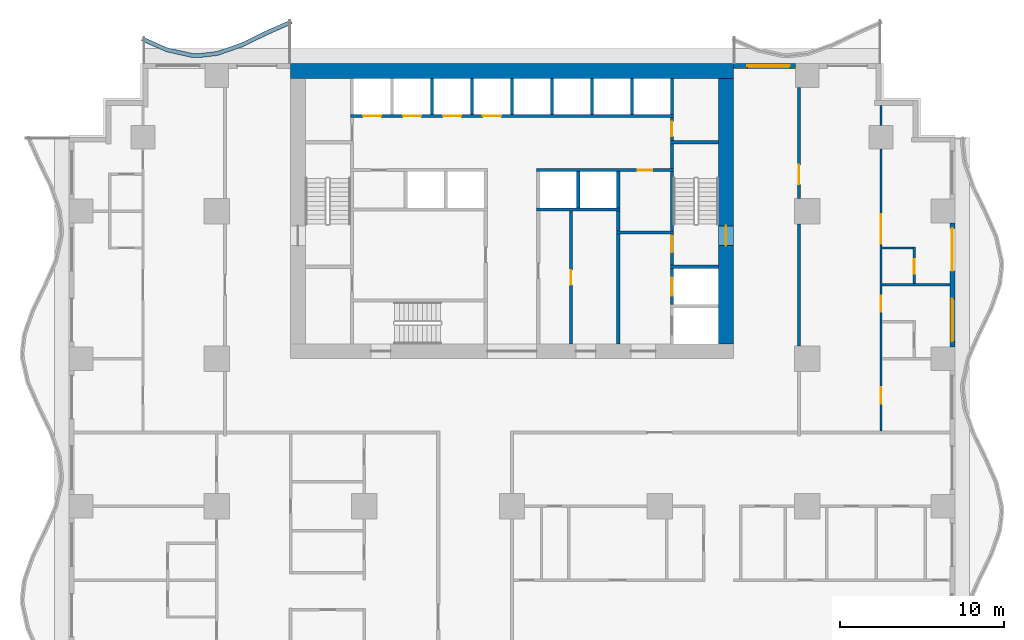
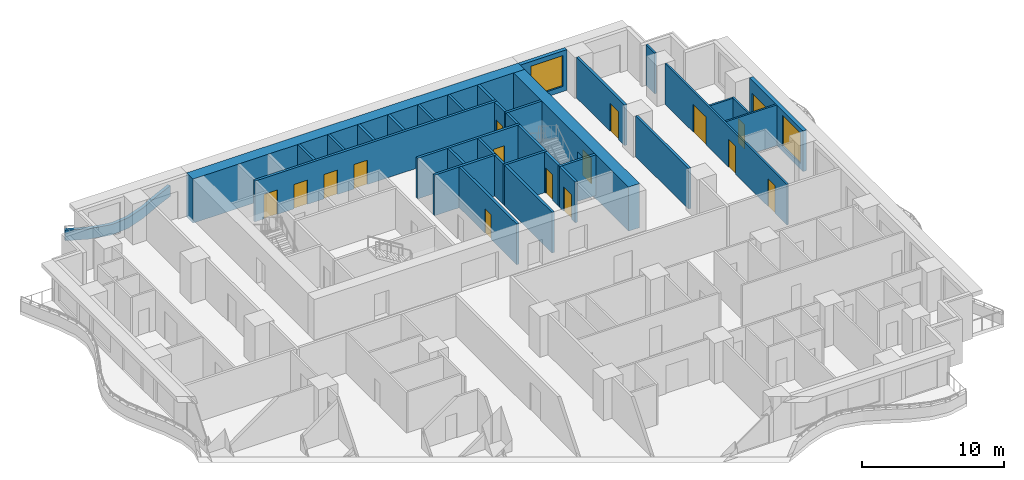
# One storey, part 6 of 14: 35 walls, 16 doors, 2 windows, 18 openings.
"""IFC4 building model written with IfcOpenShell, lengths in metres."""

import ifcopenshell
import ifcopenshell.guid

model = None  # the IFC model being written
_history = None  # IfcOwnerHistory: only IFC2X3 demands one
_inside = {}  # id of a spatial element -> (the spatial element, [elements in it])
_under = {}  # id of a project, library or spatial element -> (it, [spatial elements below it])
_declared = {}  # id of a project -> (the project, [libraries it declares])
_typed = {}  # id of a type object -> (the type object, [elements of that type])
_made_of = {}  # id of a material, layer set ... -> (it, [elements and type objects made of it])


def new_model(schema):
    """Start an empty IFC model of exactly this schema.

    Asked for "IFC4X3", IfcOpenShell would pick the latest addendum, in which some entities
    have other attributes; the version numbers below select the first issue.
    IFC2X3 requires an IfcOwnerHistory on every rooted entity: one is made here for all.
    """
    global model, _history
    if schema == "IFC4X3":
        model = ifcopenshell.file(schema_version=(4, 3, 0, 0))
    else:
        model = ifcopenshell.file(schema=schema)
    _inside.clear()
    _under.clear()
    _declared.clear()
    _typed.clear()
    _made_of.clear()
    _history = None
    if model.schema == "IFC2X3":
        org = make("IfcOrganization", Name="unknown")
        user = make(
            "IfcPersonAndOrganization",
            ThePerson=make("IfcPerson", FamilyName="unknown"),
            TheOrganization=org,
        )
        app = make(
            "IfcApplication",
            ApplicationDeveloper=org,
            Version="unknown",
            ApplicationFullName="unknown",
            ApplicationIdentifier="unknown",
        )
        _history = make(
            "IfcOwnerHistory",
            OwningUser=user,
            OwningApplication=app,
            ChangeAction="ADDED",
            CreationDate=0,
        )
    return model


def make(cls, **values):
    """One entity of the class cls with the attributes given. An attribute that is None is left unset."""
    return model.create_entity(
        cls, **{name: value for name, value in values.items() if value is not None}
    )


def rooted(cls, **values):
    """An entity with a GlobalId (a new one), such as an element, a storey or a relation."""
    return make(cls, GlobalId=ifcopenshell.guid.new(), OwnerHistory=_history, **values)


def si_unit(unit_type, name, prefix=None):
    """IfcSIUnit, for example si_unit("LENGTHUNIT", "METRE", prefix="MILLI")."""
    return make("IfcSIUnit", UnitType=unit_type, Prefix=prefix, Name=name)


def assignment(units):
    """IfcUnitAssignment: the units of a project."""
    return None if units is None else make("IfcUnitAssignment", Units=units)


def point(xyz):
    """IfcCartesianPoint."""
    return None if xyz is None else make("IfcCartesianPoint", Coordinates=xyz)


def direction(xyz):
    """IfcDirection."""
    return None if xyz is None else make("IfcDirection", DirectionRatios=xyz)


def frame(location, z_axis=None, x_axis=None):
    """IfcAxis2Placement3D, a coordinate frame: its origin and axes. An axis left out is left unset."""
    return make(
        "IfcAxis2Placement3D",
        Location=point(location),
        Axis=direction(z_axis),
        RefDirection=direction(x_axis),
    )


def frame_2d(location, x_axis=None):
    """IfcAxis2Placement2D, a coordinate frame in the plane: its origin and x axis."""
    return make(
        "IfcAxis2Placement2D", Location=point(location), RefDirection=direction(x_axis)
    )


def origin():
    """The frame at (0, 0, 0) with its axes left unset."""
    return frame((0.0, 0.0, 0.0))


def place(relative_to, where):
    """IfcLocalPlacement: puts the frame where relative to a parent placement (None: the world)."""
    return make(
        "IfcLocalPlacement", PlacementRelTo=relative_to, RelativePlacement=where
    )


def context(
    kind, dimensions, precision=None, world=None, true_north=None, identifier=None
):
    """IfcGeometricRepresentationContext, for example the 3D "Model" context."""
    return make(
        "IfcGeometricRepresentationContext",
        ContextIdentifier=identifier,
        ContextType=kind,
        CoordinateSpaceDimension=dimensions,
        Precision=precision,
        WorldCoordinateSystem=world,
        TrueNorth=true_north,
    )


def subcontext(parent, identifier, kind, view, scale=None):
    """IfcGeometricRepresentationSubContext, for example "Body" below "Model"."""
    return make(
        "IfcGeometricRepresentationSubContext",
        ContextIdentifier=identifier,
        ContextType=kind,
        ParentContext=parent,
        TargetScale=scale,
        TargetView=view,
    )


def project(units=None, contexts=None):
    """IfcProject with its units and contexts."""
    return rooted(
        "IfcProject",
        Name="project",
        RepresentationContexts=contexts,
        UnitsInContext=assignment(units),
    )


def spatial(cls, under=None, at=None, **own):
    """A site, building, storey or space (cls), placed at a placement, below another one or the project."""
    s = rooted(cls, ObjectPlacement=at, **own)
    if under is not None:
        _under.setdefault(under.id(), (under, []))[1].append(s)
    return s


def polyline(points):
    """IfcPolyline through the points."""
    return make("IfcPolyline", Points=[point(p) for p in points])


def profile(cls, at=None, kind="AREA", **sizes):
    """A parametric profile (cls). Its sizes go by their IFC names, for example OverallWidth=200.0."""
    return make(cls, ProfileType=kind, Position=at, **sizes)


def rectangle(**sizes):
    """IfcRectangleProfileDef."""
    return profile("IfcRectangleProfileDef", **sizes)


def outline(outer, holes=None, kind="AREA"):
    """IfcArbitraryClosedProfileDef: a profile drawn as a closed curve; with holes, ...WithVoids."""
    if holes is None:
        return make("IfcArbitraryClosedProfileDef", ProfileType=kind, OuterCurve=outer)
    return make(
        "IfcArbitraryProfileDefWithVoids",
        ProfileType=kind,
        OuterCurve=outer,
        InnerCurves=holes,
    )


def extrude(swept, where, along, depth):
    """IfcExtrudedAreaSolid: the profile swept, set in the frame where, extruded along a direction by depth."""
    return make(
        "IfcExtrudedAreaSolid",
        SweptArea=swept,
        Position=where,
        ExtrudedDirection=direction(along),
        Depth=depth,
    )


def shape(context_of_items, identifier, shape_type, items):
    """IfcShapeRepresentation: the items that make up one representation, for example the "Body"."""
    return make(
        "IfcShapeRepresentation",
        ContextOfItems=context_of_items,
        RepresentationIdentifier=identifier,
        RepresentationType=shape_type,
        Items=items,
    )


def material(Name=None, Category=None):
    """IfcMaterial."""
    return make("IfcMaterial", Name=Name, Category=Category)


def layer(
    of_material, thickness, ventilated=None, Name=None, Category=None, Priority=None
):
    """IfcMaterialLayer: one layer of a wall or slab, of a material (None: an air gap)."""
    return make(
        "IfcMaterialLayer",
        Material=of_material,
        LayerThickness=thickness,
        IsVentilated=ventilated,
        Name=Name,
        Category=Category,
        Priority=Priority,
    )


def layer_set(layers, Name=None):
    """IfcMaterialLayerSet."""
    return make("IfcMaterialLayerSet", MaterialLayers=layers, LayerSetName=Name)


def made_of(thing, what):
    """Note that an element or type object is made of a material, layer set ...; save() writes the relation."""
    if what is not None:
        _made_of.setdefault(what.id(), (what, []))[1].append(thing)
    return thing


def type_object(cls, material=None, **own):
    """A type object (cls), such as IfcWallType, which elements share."""
    return made_of(rooted(cls, **own), material)


def element(
    cls,
    number,
    at=None,
    inside=None,
    cuts=None,
    type_object=None,
    material=None,
    context=None,
    identifier="Body",
    shape_type=None,
    held_by="IfcProductDefinitionShape",
    body=None,
    shapes=None,
    **own,
):
    """One element of the class cls, such as IfcWall. Its Tag is "e" and its number.

    at: its placement. inside: the storey or other place that contains it. cuts: it is an
    opening in that element (IfcRelVoidsElement). A single representation is given by context,
    identifier, shape_type and body (its items); several are given by shapes. held_by: the class
    of the entity that holds the representations. save() writes the other relations.
    """
    e = rooted(cls, Tag="e%d" % number, ObjectPlacement=at, **own)
    if body is not None:
        shapes = [shape(context, identifier, shape_type, body)]
    if shapes is not None:
        e.Representation = make(held_by, Representations=shapes)
    if inside is not None:
        _inside.setdefault(inside.id(), (inside, []))[1].append(e)
    if cuts is not None:
        rooted(
            "IfcRelVoidsElement", RelatingBuildingElement=cuts, RelatedOpeningElement=e
        )
    if type_object is not None:
        _typed.setdefault(type_object.id(), (type_object, []))[1].append(e)
    return made_of(e, material)


def fill(opening, filler):
    """IfcRelFillsElement: the door or window that sits in an opening."""
    return rooted(
        "IfcRelFillsElement",
        RelatingOpeningElement=opening,
        RelatedBuildingElement=filler,
    )


def aggregate(whole, parts):
    """IfcRelAggregates: a whole, such as a stair, and the parts it consists of."""
    return rooted("IfcRelAggregates", RelatingObject=whole, RelatedObjects=parts)


def save(model, path):
    """Write the relations noted so far, then the file.

    IfcRelAggregates (storeys below a building ...), IfcRelContainedInSpatialStructure (elements
    in a storey), IfcRelDefinesByType, IfcRelAssociatesMaterial and IfcRelDeclares: one each for
    every whole, place, type object, material and project.
    """
    for whole, parts in _under.values():
        aggregate(whole, parts)
    for where, things in _inside.values():
        rooted(
            "IfcRelContainedInSpatialStructure",
            RelatedElements=things,
            RelatingStructure=where,
        )
    for kind, things in _typed.values():
        rooted("IfcRelDefinesByType", RelatedObjects=things, RelatingType=kind)
    for what, things in _made_of.values():
        rooted("IfcRelAssociatesMaterial", RelatedObjects=things, RelatingMaterial=what)
    for by, libraries in _declared.values():
        rooted("IfcRelDeclares", RelatingContext=by, RelatedDefinitions=libraries)
    model.write(path)


model = new_model("IFC4")

# Units and contexts
model_context = context("Model", 3, precision=1e-05, world=origin(), true_north=direction((0.0, 1.0)))
body_context = subcontext(model_context, "Body", "Model", "MODEL_VIEW")
ifc_project = project(units=[si_unit("LENGTHUNIT", "METRE"), si_unit("AREAUNIT", "SQUARE_METRE"), si_unit("VOLUMEUNIT", "CUBIC_METRE"), si_unit("PLANEANGLEUNIT", "RADIAN"), si_unit("MASSUNIT", "GRAM", prefix="KILO")], contexts=[model_context])

# Site, building, storey
site_placement = place(None, origin())
site = spatial("IfcSite", under=ifc_project, at=site_placement, CompositionType="ELEMENT")
building_placement = place(site_placement, origin())
building = spatial("IfcBuilding", under=site, at=building_placement, Name="Orbiselva Terraces", CompositionType="ELEMENT")
storey_placement = place(building_placement, frame((0.0, 0.0, 26.4)))
storey = spatial("IfcBuildingStorey", under=building, at=storey_placement, Name="L06", CompositionType="ELEMENT", Elevation=26.4)

# Wall, opening, door
ifc_material_1 = material(Name="Concrete C80/95", Category="concrete")
ifc_layer_1 = layer(ifc_material_1, 0.9)
ifc_layer_set_1 = layer_set([ifc_layer_1], Name="Concrete C80/95")
wall_type_1 = type_object("IfcWallType", Name="CORE WALL 900", PredefinedType="SHEAR", material=ifc_layer_set_1)
wall_1_placement = place(storey_placement, frame((13.05, 5.4, -0.3), z_axis=(0.0, 0.0, 1.0), x_axis=(0.0, 1.0, 0.0)))
wall_1 = element("IfcWall", 1, at=wall_1_placement, inside=storey, type_object=wall_type_1, Name="Core wall L06 east", PredefinedType="SHEAR", context=body_context, shape_type="SweptSolid", body=[
    extrude(rectangle(XDim=16.2, YDim=0.9, at=frame_2d((8.1, 0.0))), origin(), (0.0, 0.0, 1.0), 3.8),
])
opening_1_placement = place(wall_1_placement, frame((6.0, 0.0, 0.3)))
opening_1 = element("IfcOpeningElement", 2, at=opening_1_placement, cuts=wall_1, Name="Opening DS1200", PredefinedType="OPENING", context=body_context, shape_type="SweptSolid", body=[
    extrude(rectangle(XDim=1.2, YDim=2.2, at=frame_2d((0.6, 1.1))), frame((0.0, 0.46, 0.0), z_axis=(0.0, -1.0, 0.0), x_axis=(1.0, 0.0, 0.0)), (0.0, 0.0, 1.0), 0.92),
])
ifc_material_2 = material(Name="Steel fire door", Category="steel")
door_type_1 = type_object("IfcDoorType", Name="STAIR DOOR 1200", OperationType="NOTDEFINED", PredefinedType="DOOR", material=ifc_material_2)
door_1_placement = place(opening_1_placement, frame((1.2, 0.0, 0.0), z_axis=(0.0, 0.0, 1.0), x_axis=(-1.0, 0.0, 0.0)))
door_1 = element("IfcDoor", 3, at=door_1_placement, inside=storey, type_object=door_type_1, Name="L06 EXIT STAIR S2 door", OperationType="SINGLE_SWING_LEFT", OverallHeight=2.2, OverallWidth=1.2, PredefinedType="DOOR", context=body_context, shape_type="SweptSolid", body=[
    extrude(rectangle(XDim=1.2, YDim=2.2, at=frame_2d((0.6, 1.1))), frame((0.0, 0.025, 0.0), z_axis=(0.0, -1.0, 0.0), x_axis=(1.0, 0.0, 0.0)), (0.0, 0.0, 1.0), 0.05),
])
fill(opening_1, door_1)

# Wall
ifc_layer_2 = layer(ifc_material_1, 0.9)
ifc_layer_set_2 = layer_set([ifc_layer_2], Name="Concrete C80/95")
wall_type_2 = type_object("IfcWallType", Name="CORE WALL 900 EXTERNAL", PredefinedType="SHEAR", material=ifc_layer_set_2)
wall_2_placement = place(storey_placement, frame((13.5, 22.05, -0.3), z_axis=(0.0, 0.0, 1.0), x_axis=(-1.0, 0.0, 0.0)))
element("IfcWall", 4, at=wall_2_placement, inside=storey, type_object=wall_type_2, Name="Core wall L06 north", PredefinedType="SHEAR", context=body_context, shape_type="SweptSolid", body=[
    extrude(rectangle(XDim=27.0, YDim=0.9, at=frame_2d((13.5, 0.0))), origin(), (0.0, 0.0, 1.0), 3.8),
])

# Wall, opening, door
ifc_material_3 = material(Name="Masonry blockwork", Category="masonry")
ifc_layer_3 = layer(ifc_material_3, 0.2)
ifc_layer_set_3 = layer_set([ifc_layer_3], Name="Masonry blockwork")
wall_type_3 = type_object("IfcWallType", Name="CORE-WALL-PARTITION-200", PredefinedType="PARTITIONING", material=ifc_layer_set_3)
wall_3_placement = place(storey_placement, frame((3.6, 13.5, 0.0), z_axis=(0.0, 0.0, 1.0), x_axis=(0.0, -1.0, 0.0)))
wall_3 = element("IfcWall", 5, at=wall_3_placement, inside=storey, type_object=wall_type_3, Name="L06 core wall 28", PredefinedType="PARTITIONING", context=body_context, shape_type="SweptSolid", body=[
    extrude(rectangle(XDim=8.1, YDim=0.2, at=frame_2d((4.05, 0.0))), origin(), (0.0, 0.0, 1.0), 3.5),
])
opening_2_placement = place(wall_3_placement, frame((3.6, 0.0, 0.0)))
opening_2 = element("IfcOpeningElement", 6, at=opening_2_placement, cuts=wall_3, Name="Opening DR900", PredefinedType="OPENING", context=body_context, shape_type="SweptSolid", body=[
    extrude(rectangle(XDim=0.9, YDim=2.1, at=frame_2d((0.45, 1.05))), frame((0.0, 0.11, 0.0), z_axis=(0.0, -1.0, 0.0), x_axis=(1.0, 0.0, 0.0)), (0.0, 0.0, 1.0), 0.22),
])
door_type_2 = type_object("IfcDoorType", Name="ROOM DOOR 900", OperationType="NOTDEFINED", PredefinedType="DOOR", material=ifc_material_2)
door_2_placement = place(opening_2_placement, origin())
door_2 = element("IfcDoor", 7, at=door_2_placement, inside=storey, type_object=door_type_2, Name="L06 SERVICE ROOM door", OperationType="SINGLE_SWING_RIGHT", OverallHeight=2.1, OverallWidth=0.9, PredefinedType="DOOR", context=body_context, shape_type="SweptSolid", body=[
    extrude(rectangle(XDim=0.9, YDim=2.1, at=frame_2d((0.45, 1.05))), frame((0.0, 0.025, 0.0), z_axis=(0.0, -1.0, 0.0), x_axis=(1.0, 0.0, 0.0)), (0.0, 0.0, 1.0), 0.05),
])
fill(opening_2, door_2)

# Wall
wall_4_placement = place(storey_placement, frame((6.475, 12.3, 0.0), z_axis=(0.0, 0.0, 1.0), x_axis=(0.0, 1.0, 0.0)))
element("IfcWall", 8, at=wall_4_placement, inside=storey, type_object=wall_type_3, Name="L06 core wall 33", PredefinedType="PARTITIONING", context=body_context, shape_type="SweptSolid", body=[
    extrude(rectangle(XDim=1.2, YDim=0.2, at=frame_2d((0.6, 0.0))), origin(), (0.0, 0.0, 1.0), 3.5),
])

# Wall, opening, door
wall_5_placement = place(storey_placement, frame((9.75, 19.2, 0.0), z_axis=(0.0, 0.0, 1.0), x_axis=(0.0, -1.0, 0.0)))
wall_5 = element("IfcWall", 9, at=wall_5_placement, inside=storey, type_object=wall_type_3, Name="L06 core wall 44", PredefinedType="PARTITIONING", context=body_context, shape_type="SweptSolid", body=[
    extrude(rectangle(XDim=1.4, YDim=0.2, at=frame_2d((0.7, 0.0))), origin(), (0.0, 0.0, 1.0), 3.5),
])
opening_3_placement = place(wall_5_placement, frame((0.25, 0.0, 0.0)))
opening_3 = element("IfcOpeningElement", 10, at=opening_3_placement, cuts=wall_5, Name="Opening DR900", PredefinedType="OPENING", context=body_context, shape_type="SweptSolid", body=[
    extrude(rectangle(XDim=0.9, YDim=2.1, at=frame_2d((0.45, 1.05))), frame((0.0, 0.11, 0.0), z_axis=(0.0, -1.0, 0.0), x_axis=(1.0, 0.0, 0.0)), (0.0, 0.0, 1.0), 0.22),
])
door_3_placement = place(opening_3_placement, origin())
door_3 = element("IfcDoor", 11, at=door_3_placement, inside=storey, type_object=door_type_2, Name="L06 ELECTRICAL RISER ROOM door", OperationType="SINGLE_SWING_RIGHT", OverallHeight=2.1, OverallWidth=0.9, PredefinedType="DOOR", context=body_context, shape_type="SweptSolid", body=[
    extrude(rectangle(XDim=0.9, YDim=2.1, at=frame_2d((0.45, 1.05))), frame((0.0, 0.025, 0.0), z_axis=(0.0, -1.0, 0.0), x_axis=(1.0, 0.0, 0.0)), (0.0, 0.0, 1.0), 0.05),
])
fill(opening_3, door_3)

# Walls
ifc_material_4 = material(Name="Concrete C40/50", Category="concrete")
ifc_layer_4 = layer(ifc_material_4, 0.2)
ifc_layer_set_4 = layer_set([ifc_layer_4], Name="Concrete C40/50")
wall_type_4 = type_object("IfcWallType", Name="CORE-WALL-SHAFT-200", PredefinedType="PARTITIONING", material=ifc_layer_set_4)
for number, where, z_axis, x_axis, name in (
    (12, (-4.875, 19.4, 0.0), (0.0, 0.0, 1.0), (0.0, 1.0, 0.0), "L06 core wall 16"),
    (13, (-2.4375, 19.4, 0.0), (0.0, 0.0, 1.0), (0.0, 1.0, 0.0), "L06 core wall 18"),
    (14, (0.0, 19.4, 0.0), (0.0, 0.0, 1.0), (0.0, 1.0, 0.0), "L06 core wall 22"),
    (15, (2.4375, 19.4, 0.0), (0.0, 0.0, 1.0), (0.0, 1.0, 0.0), "L06 core wall 27"),
    (16, (4.0375, 13.7, 0.0), (0.0, 0.0, 1.0), (0.0, 1.0, 0.0), "L06 core wall 29"),
    (17, (4.875, 19.4, 0.0), (0.0, 0.0, 1.0), (0.0, 1.0, 0.0), "L06 core wall 30"),
    (18, (6.475, 13.7, 0.0), (0.0, 0.0, 1.0), (0.0, 1.0, 0.0), "L06 core wall 34"),
    (19, (7.3125, 19.4, 0.0), (0.0, 0.0, 1.0), (0.0, 1.0, 0.0), "L06 core wall 35"),
    (20, (9.75, 19.4, 0.0), (0.0, 0.0, 1.0), (0.0, 1.0, 0.0), "L06 core wall 45"),
):
    element("IfcWall", number, at=place(storey_placement, frame(where, z_axis=z_axis, x_axis=x_axis)), inside=storey, type_object=wall_type_4, Name=name, PredefinedType="PARTITIONING", context=body_context, shape_type="SweptSolid", body=[
        extrude(rectangle(XDim=2.2, YDim=0.2, at=frame_2d((1.1, 0.0))), origin(), (0.0, 0.0, 1.0), 3.5),
    ])

# Wall, openings, doors
ifc_material_5 = material(Name="Concrete C60/75", Category="concrete")
ifc_layer_5 = layer(ifc_material_5, 0.2)
ifc_layer_set_5 = layer_set([ifc_layer_5], Name="Concrete C60/75")
wall_type_5 = type_object("IfcWallType", Name="CORE-WALL-SHEAR-200", PredefinedType="SHEAR", material=ifc_layer_set_5)
wall_6_placement = place(storey_placement, frame((-9.85, 19.3, 0.0), z_axis=(0.0, 0.0, 1.0), x_axis=(1.0, 0.0, 0.0)))
wall_6 = element("IfcWall", 21, at=wall_6_placement, inside=storey, type_object=wall_type_5, Name="L06 core wall 12", PredefinedType="SHEAR", context=body_context, shape_type="SweptSolid", body=[
    extrude(rectangle(XDim=19.7, YDim=0.2, at=frame_2d((9.85, 0.0))), origin(), (0.0, 0.0, 1.0), 3.5),
])
opening_4_placement = place(wall_6_placement, frame((0.76875, 0.0, 0.0)))
opening_4 = element("IfcOpeningElement", 22, at=opening_4_placement, cuts=wall_6, Name="Opening LD-LR1", PredefinedType="OPENING", context=body_context, shape_type="SweptSolid", body=[
    extrude(rectangle(XDim=1.1, YDim=2.1, at=frame_2d((0.55, 1.05))), frame((0.0, 0.11, 0.0), z_axis=(0.0, -1.0, 0.0), x_axis=(1.0, 0.0, 0.0)), (0.0, 0.0, 1.0), 0.22),
])
opening_5_placement = place(wall_6_placement, frame((3.20625, 0.0, 0.0)))
opening_5 = element("IfcOpeningElement", 23, at=opening_5_placement, cuts=wall_6, Name="Opening LD-LR2", PredefinedType="OPENING", context=body_context, shape_type="SweptSolid", body=[
    extrude(rectangle(XDim=1.1, YDim=2.1, at=frame_2d((0.55, 1.05))), frame((0.0, 0.11, 0.0), z_axis=(0.0, -1.0, 0.0), x_axis=(1.0, 0.0, 0.0)), (0.0, 0.0, 1.0), 0.22),
])
opening_6_placement = place(wall_6_placement, frame((5.64375, 0.0, 0.0)))
opening_6 = element("IfcOpeningElement", 24, at=opening_6_placement, cuts=wall_6, Name="Opening LD-LR3", PredefinedType="OPENING", context=body_context, shape_type="SweptSolid", body=[
    extrude(rectangle(XDim=1.1, YDim=2.1, at=frame_2d((0.55, 1.05))), frame((0.0, 0.11, 0.0), z_axis=(0.0, -1.0, 0.0), x_axis=(1.0, 0.0, 0.0)), (0.0, 0.0, 1.0), 0.22),
])
opening_7_placement = place(wall_6_placement, frame((8.08125, 0.0, 0.0)))
opening_7 = element("IfcOpeningElement", 25, at=opening_7_placement, cuts=wall_6, Name="Opening LD-LR4", PredefinedType="OPENING", context=body_context, shape_type="SweptSolid", body=[
    extrude(rectangle(XDim=1.1, YDim=2.1, at=frame_2d((0.55, 1.05))), frame((0.0, 0.11, 0.0), z_axis=(0.0, -1.0, 0.0), x_axis=(1.0, 0.0, 0.0)), (0.0, 0.0, 1.0), 0.22),
])
ifc_material_6 = material(Name="Stainless steel landing door", Category="steel")
door_type_3 = type_object("IfcDoorType", Name="LANDING DOOR 1100", OperationType="SLIDING_TO_LEFT", PredefinedType="DOOR", material=ifc_material_6)
door_4_placement = place(opening_4_placement, origin())
door_4 = element("IfcDoor", 26, at=door_4_placement, inside=storey, type_object=door_type_3, Name="L06 landing door LR1", OperationType="SLIDING_TO_LEFT", OverallHeight=2.1, OverallWidth=1.1, PredefinedType="DOOR", context=body_context, shape_type="SweptSolid", body=[
    extrude(rectangle(XDim=1.1, YDim=2.1, at=frame_2d((0.55, 1.05))), frame((0.0, 0.025, 0.0), z_axis=(0.0, -1.0, 0.0), x_axis=(1.0, 0.0, 0.0)), (0.0, 0.0, 1.0), 0.05),
])
fill(opening_4, door_4)
door_5_placement = place(opening_5_placement, origin())
door_5 = element("IfcDoor", 27, at=door_5_placement, inside=storey, type_object=door_type_3, Name="L06 landing door LR2", OperationType="SLIDING_TO_LEFT", OverallHeight=2.1, OverallWidth=1.1, PredefinedType="DOOR", context=body_context, shape_type="SweptSolid", body=[
    extrude(rectangle(XDim=1.1, YDim=2.1, at=frame_2d((0.55, 1.05))), frame((0.0, 0.025, 0.0), z_axis=(0.0, -1.0, 0.0), x_axis=(1.0, 0.0, 0.0)), (0.0, 0.0, 1.0), 0.05),
])
fill(opening_5, door_5)
door_6_placement = place(opening_6_placement, origin())
door_6 = element("IfcDoor", 28, at=door_6_placement, inside=storey, type_object=door_type_3, Name="L06 landing door LR3", OperationType="SLIDING_TO_LEFT", OverallHeight=2.1, OverallWidth=1.1, PredefinedType="DOOR", context=body_context, shape_type="SweptSolid", body=[
    extrude(rectangle(XDim=1.1, YDim=2.1, at=frame_2d((0.55, 1.05))), frame((0.0, 0.025, 0.0), z_axis=(0.0, -1.0, 0.0), x_axis=(1.0, 0.0, 0.0)), (0.0, 0.0, 1.0), 0.05),
])
fill(opening_6, door_6)
door_7_placement = place(opening_7_placement, origin())
door_7 = element("IfcDoor", 29, at=door_7_placement, inside=storey, type_object=door_type_3, Name="L06 landing door LR4", OperationType="SLIDING_TO_LEFT", OverallHeight=2.1, OverallWidth=1.1, PredefinedType="DOOR", context=body_context, shape_type="SweptSolid", body=[
    extrude(rectangle(XDim=1.1, YDim=2.1, at=frame_2d((0.55, 1.05))), frame((0.0, 0.025, 0.0), z_axis=(0.0, -1.0, 0.0), x_axis=(1.0, 0.0, 0.0)), (0.0, 0.0, 1.0), 0.05),
])
fill(opening_7, door_7)

# Wall
wall_7_placement = place(storey_placement, frame((1.5, 13.6, 0.0), z_axis=(0.0, 0.0, 1.0), x_axis=(1.0, 0.0, 0.0)))
element("IfcWall", 30, at=wall_7_placement, inside=storey, type_object=wall_type_5, Name="L06 core wall 24", PredefinedType="SHEAR", context=body_context, shape_type="SweptSolid", body=[
    extrude(rectangle(XDim=5.075, YDim=0.2, at=frame_2d((2.5375, 0.0))), origin(), (0.0, 0.0, 1.0), 3.5),
])

# Wall, opening, door
wall_8_placement = place(storey_placement, frame((9.85, 16.0, 0.0), z_axis=(0.0, 0.0, 1.0), x_axis=(-1.0, 0.0, 0.0)))
wall_8 = element("IfcWall", 31, at=wall_8_placement, inside=storey, type_object=wall_type_5, Name="L06 core wall 26", PredefinedType="SHEAR", context=body_context, shape_type="SweptSolid", body=[
    extrude(rectangle(XDim=8.35, YDim=0.2, at=frame_2d((4.175, 0.0))), origin(), (0.0, 0.0, 1.0), 3.5),
])
opening_8_placement = place(wall_8_placement, frame((1.2875, 0.0, 0.0)))
opening_8 = element("IfcOpeningElement", 32, at=opening_8_placement, cuts=wall_8, Name="Opening DR900", PredefinedType="OPENING", context=body_context, shape_type="SweptSolid", body=[
    extrude(rectangle(XDim=0.9, YDim=2.1, at=frame_2d((0.45, 1.05))), frame((0.0, 0.11, 0.0), z_axis=(0.0, -1.0, 0.0), x_axis=(1.0, 0.0, 0.0)), (0.0, 0.0, 1.0), 0.22),
])
door_8_placement = place(opening_8_placement, origin())
door_8 = element("IfcDoor", 33, at=door_8_placement, inside=storey, type_object=door_type_2, Name="L06 PIPE RISER ROOM door", OperationType="SINGLE_SWING_LEFT", OverallHeight=2.1, OverallWidth=0.9, PredefinedType="DOOR", context=body_context, shape_type="SweptSolid", body=[
    extrude(rectangle(XDim=0.9, YDim=2.1, at=frame_2d((0.45, 1.05))), frame((0.0, 0.025, 0.0), z_axis=(0.0, -1.0, 0.0), x_axis=(1.0, 0.0, 0.0)), (0.0, 0.0, 1.0), 0.05),
])
fill(opening_8, door_8)

# Walls
wall_9_placement = place(storey_placement, frame((6.475, 5.4, 0.0), z_axis=(0.0, 0.0, 1.0), x_axis=(0.0, 1.0, 0.0)))
element("IfcWall", 34, at=wall_9_placement, inside=storey, type_object=wall_type_5, Name="L06 core wall 31", PredefinedType="SHEAR", context=body_context, shape_type="SweptSolid", body=[
    extrude(rectangle(XDim=6.7, YDim=0.2, at=frame_2d((3.35, 0.0))), origin(), (0.0, 0.0, 1.0), 3.5),
])
wall_10_placement = place(storey_placement, frame((6.375, 12.2, 0.0), z_axis=(0.0, 0.0, 1.0), x_axis=(1.0, 0.0, 0.0)))
element("IfcWall", 35, at=wall_10_placement, inside=storey, type_object=wall_type_5, Name="L06 core wall 32", PredefinedType="SHEAR", context=body_context, shape_type="SweptSolid", body=[
    extrude(rectangle(XDim=3.475, YDim=0.2, at=frame_2d((1.7375, 0.0))), origin(), (0.0, 0.0, 1.0), 3.5),
])

# Wall, opening, door
wall_11_placement = place(storey_placement, frame((9.75, 7.8, 0.0), z_axis=(0.0, 0.0, 1.0), x_axis=(0.0, 1.0, 0.0)))
wall_11 = element("IfcWall", 36, at=wall_11_placement, inside=storey, type_object=wall_type_5, Name="L06 core wall 38", PredefinedType="SHEAR", context=body_context, shape_type="SweptSolid", body=[
    extrude(rectangle(XDim=2.2, YDim=0.2, at=frame_2d((1.1, 0.0))), origin(), (0.0, 0.0, 1.0), 3.5),
])
opening_9_placement = place(wall_11_placement, frame((0.55, 0.0, 0.0)))
opening_9 = element("IfcOpeningElement", 37, at=opening_9_placement, cuts=wall_11, Name="Opening LD-FF2", PredefinedType="OPENING", context=body_context, shape_type="SweptSolid", body=[
    extrude(rectangle(XDim=1.1, YDim=2.1, at=frame_2d((0.55, 1.05))), frame((0.0, 0.11, 0.0), z_axis=(0.0, -1.0, 0.0), x_axis=(1.0, 0.0, 0.0)), (0.0, 0.0, 1.0), 0.22),
])
door_9_placement = place(opening_9_placement, origin())
door_9 = element("IfcDoor", 38, at=door_9_placement, inside=storey, type_object=door_type_3, Name="L06 landing door FF2", OperationType="SLIDING_TO_RIGHT", OverallHeight=2.1, OverallWidth=1.1, PredefinedType="DOOR", context=body_context, shape_type="SweptSolid", body=[
    extrude(rectangle(XDim=1.1, YDim=2.1, at=frame_2d((0.55, 1.05))), frame((0.0, 0.025, 0.0), z_axis=(0.0, -1.0, 0.0), x_axis=(1.0, 0.0, 0.0)), (0.0, 0.0, 1.0), 0.05),
])
fill(opening_9, door_9)

# Wall
wall_12_placement = place(storey_placement, frame((9.65, 10.1, 0.0), z_axis=(0.0, 0.0, 1.0), x_axis=(1.0, 0.0, 0.0)))
element("IfcWall", 39, at=wall_12_placement, inside=storey, type_object=wall_type_5, Name="L06 core wall 39", PredefinedType="SHEAR", context=body_context, shape_type="SweptSolid", body=[
    extrude(rectangle(XDim=2.95, YDim=0.2, at=frame_2d((1.475, 0.0))), origin(), (0.0, 0.0, 1.0), 3.5),
])

# Wall, opening, door
wall_13_placement = place(storey_placement, frame((9.75, 12.1, 0.0), z_axis=(0.0, 0.0, 1.0), x_axis=(0.0, -1.0, 0.0)))
wall_13 = element("IfcWall", 40, at=wall_13_placement, inside=storey, type_object=wall_type_5, Name="L06 core wall 40", PredefinedType="SHEAR", context=body_context, shape_type="SweptSolid", body=[
    extrude(rectangle(XDim=1.9, YDim=0.2, at=frame_2d((0.95, 0.0))), origin(), (0.0, 0.0, 1.0), 3.5),
])
opening_10_placement = place(wall_13_placement, frame((0.1, 0.0, 0.0)))
opening_10 = element("IfcOpeningElement", 41, at=opening_10_placement, cuts=wall_13, Name="Opening DS1000", PredefinedType="OPENING", context=body_context, shape_type="SweptSolid", body=[
    extrude(rectangle(XDim=1.0, YDim=2.2, at=frame_2d((0.5, 1.1))), frame((0.0, 0.11, 0.0), z_axis=(0.0, -1.0, 0.0), x_axis=(1.0, 0.0, 0.0)), (0.0, 0.0, 1.0), 0.22),
])
door_type_4 = type_object("IfcDoorType", Name="STAIR DOOR 1000", OperationType="NOTDEFINED", PredefinedType="DOOR", material=ifc_material_2)
door_10_placement = place(opening_10_placement, origin())
door_10 = element("IfcDoor", 42, at=door_10_placement, inside=storey, type_object=door_type_4, Name="L06 FIRE-FIGHTING LOBBY TO EXIT STAIR S2 door", OperationType="SINGLE_SWING_LEFT", OverallHeight=2.2, OverallWidth=1.0, PredefinedType="DOOR", context=body_context, shape_type="SweptSolid", body=[
    extrude(rectangle(XDim=1.0, YDim=2.2, at=frame_2d((0.5, 1.1))), frame((0.0, 0.025, 0.0), z_axis=(0.0, -1.0, 0.0), x_axis=(1.0, 0.0, 0.0)), (0.0, 0.0, 1.0), 0.05),
])
fill(opening_10, door_10)

# Walls
wall_14_placement = place(storey_placement, frame((9.75, 12.3, 0.0), z_axis=(0.0, 0.0, 1.0), x_axis=(0.0, 1.0, 0.0)))
element("IfcWall", 43, at=wall_14_placement, inside=storey, type_object=wall_type_5, Name="L06 core wall 41", PredefinedType="SHEAR", context=body_context, shape_type="SweptSolid", body=[
    extrude(rectangle(XDim=3.6, YDim=0.2, at=frame_2d((1.8, 0.0))), origin(), (0.0, 0.0, 1.0), 3.5),
])
wall_15_placement = place(storey_placement, frame((9.75, 16.1, 0.0), z_axis=(0.0, 0.0, 1.0), x_axis=(0.0, 1.0, 0.0)))
element("IfcWall", 44, at=wall_15_placement, inside=storey, type_object=wall_type_5, Name="L06 core wall 42", PredefinedType="SHEAR", context=body_context, shape_type="SweptSolid", body=[
    extrude(rectangle(XDim=1.5, YDim=0.2, at=frame_2d((0.75, 0.0))), origin(), (0.0, 0.0, 1.0), 3.5),
])
wall_16_placement = place(storey_placement, frame((9.65, 17.7, 0.0), z_axis=(0.0, 0.0, 1.0), x_axis=(1.0, 0.0, 0.0)))
element("IfcWall", 45, at=wall_16_placement, inside=storey, type_object=wall_type_5, Name="L06 core wall 43", PredefinedType="SHEAR", context=body_context, shape_type="SweptSolid", body=[
    extrude(rectangle(XDim=2.95, YDim=0.2, at=frame_2d((1.475, 0.0))), origin(), (0.0, 0.0, 1.0), 3.5),
])
ifc_layer_6 = layer(ifc_material_4, 0.25)
ifc_layer_set_6 = layer_set([ifc_layer_6], Name="Concrete C40/50")
wall_type_6 = type_object("IfcWallType", Name="ENV-PLANTER-250x900", PredefinedType="USERDEFINED", material=ifc_layer_set_6)
wall_17_placement = place(storey_placement, origin())
element("IfcWall", 46, at=wall_17_placement, inside=storey, type_object=wall_type_6, Name="Balcony planter L06 NW", ObjectType="PLANTER", PredefinedType="USERDEFINED", context=body_context, shape_type="SweptSolid", body=[
    extrude(outline(polyline([(-13.5, 25.148528), (-15.0, 24.487721), (-16.5, 23.755211), (-18.0, 23.230792), (-19.125, 23.1), (-19.5, 23.114774), (-21.0, 23.451472), (-22.5, 24.112279), (-22.600788, 23.883496), (-21.078508, 23.212874), (-19.532565, 22.865863), (-19.115428, 22.849429), (-17.943629, 22.985662), (-16.40356, 23.524089), (-14.894714, 24.260919), (-13.399212, 24.919745), (-13.5, 25.148528)])), origin(), (0.0, 0.0, 1.0), 0.9),
])

# Wall, openings, door, window
ifc_material_7 = material(Name="Terracotta cladding on masonry backing", Category="masonry")
ifc_layer_7 = layer(ifc_material_7, 0.3)
ifc_layer_set_7 = layer_set([ifc_layer_7], Name="Terracotta cladding on masonry backing")
wall_type_7 = type_object("IfcWallType", Name="ENV-WALL-TERRACOTTA-300", PredefinedType="SOLIDWALL", material=ifc_layer_set_7)
wall_18_placement = place(storey_placement, frame((26.85, 12.775, 0.0), z_axis=(0.0, 0.0, 1.0), x_axis=(0.0, -1.0, 0.0)))
wall_18 = element("IfcWall", 47, at=wall_18_placement, inside=storey, type_object=wall_type_7, Name="Facade wall L06 E", PredefinedType="SOLIDWALL", context=body_context, shape_type="SweptSolid", body=[
    extrude(rectangle(XDim=7.55, YDim=0.3, at=frame_2d((3.775, 0.0))), origin(), (0.0, 0.0, 1.0), 3.5),
])
opening_11_placement = place(wall_18_placement, frame((4.625, 0.0, 0.45)))
opening_11 = element("IfcOpeningElement", 48, at=opening_11_placement, cuts=wall_18, Name="Opening WN1", PredefinedType="OPENING", context=body_context, shape_type="SweptSolid", body=[
    extrude(rectangle(XDim=2.6, YDim=2.65, at=frame_2d((1.3, 1.325))), frame((0.0, 0.16, 0.0), z_axis=(0.0, -1.0, 0.0), x_axis=(1.0, 0.0, 0.0)), (0.0, 0.0, 1.0), 0.32),
])
opening_12_placement = place(wall_18_placement, frame((0.325, 0.0, 0.0)))
opening_12 = element("IfcOpeningElement", 49, at=opening_12_placement, cuts=wall_18, Name="Opening Z1-B-E07", PredefinedType="OPENING", context=body_context, shape_type="SweptSolid", body=[
    extrude(rectangle(XDim=2.6, YDim=2.4, at=frame_2d((1.3, 1.2))), frame((0.0, 0.16, 0.0), z_axis=(0.0, -1.0, 0.0), x_axis=(1.0, 0.0, 0.0)), (0.0, 0.0, 1.0), 0.32),
])
ifc_material_8 = material(Name="Clear low-e glazing in aluminium frame", Category="aluminium")
door_type_5 = type_object("IfcDoorType", Name="BALCONY DOOR 2600 X 2400", OperationType="DOUBLE_DOOR_SLIDING", PredefinedType="DOOR", material=ifc_material_8)
door_11_placement = place(opening_12_placement, origin())
door_11 = element("IfcDoor", 50, at=door_11_placement, inside=storey, type_object=door_type_5, Name="Z1-B-E07", OperationType="SINGLE_SWING_LEFT", OverallHeight=2.4, OverallWidth=2.6, PredefinedType="DOOR", context=body_context, shape_type="SweptSolid", body=[
    extrude(rectangle(XDim=2.6, YDim=2.4, at=frame_2d((1.3, 1.2))), frame((0.0, 0.025, 0.0), z_axis=(0.0, -1.0, 0.0), x_axis=(1.0, 0.0, 0.0)), (0.0, 0.0, 1.0), 0.05),
])
fill(opening_12, door_11)
window_type = type_object("IfcWindowType", Name="WINDOW 2600 X 2650 S450", PartitioningType="TRIPLE_PANEL_VERTICAL", PredefinedType="WINDOW", material=ifc_material_8)
window_1_placement = place(opening_11_placement, origin())
window_1 = element("IfcWindow", 51, at=window_1_placement, inside=storey, type_object=window_type, Name="Window L06 E", OverallHeight=2.65, OverallWidth=2.6, PartitioningType="SINGLE_PANEL", PredefinedType="WINDOW", context=body_context, shape_type="SweptSolid", body=[
    extrude(rectangle(XDim=2.6, YDim=2.65, at=frame_2d((1.3, 1.325))), frame((0.0, 0.03, 0.0), z_axis=(0.0, -1.0, 0.0), x_axis=(1.0, 0.0, 0.0)), (0.0, 0.0, 1.0), 0.06),
])
fill(opening_11, window_1)

# Wall, opening, window
wall_19_placement = place(storey_placement, frame((13.5, 22.35, 0.0), z_axis=(0.0, 0.0, 1.0), x_axis=(1.0, 0.0, 0.0)))
wall_19 = element("IfcWall", 52, at=wall_19_placement, inside=storey, type_object=wall_type_7, Name="Facade wall L06 NE", PredefinedType="SOLIDWALL", context=body_context, shape_type="SweptSolid", body=[
    extrude(rectangle(XDim=3.775, YDim=0.3, at=frame_2d((1.8875, 0.0))), origin(), (0.0, 0.0, 1.0), 3.5),
])
opening_13_placement = place(wall_19_placement, frame((0.85, 0.0, 0.45)))
opening_13 = element("IfcOpeningElement", 53, at=opening_13_placement, cuts=wall_19, Name="Opening WN1", PredefinedType="OPENING", context=body_context, shape_type="SweptSolid", body=[
    extrude(rectangle(XDim=2.6, YDim=2.65, at=frame_2d((1.3, 1.325))), frame((0.0, 0.16, 0.0), z_axis=(0.0, -1.0, 0.0), x_axis=(1.0, 0.0, 0.0)), (0.0, 0.0, 1.0), 0.32),
])
window_2_placement = place(opening_13_placement, origin())
window_2 = element("IfcWindow", 54, at=window_2_placement, inside=storey, type_object=window_type, Name="Window L06 NE", OverallHeight=2.65, OverallWidth=2.6, PartitioningType="SINGLE_PANEL", PredefinedType="WINDOW", context=body_context, shape_type="SweptSolid", body=[
    extrude(rectangle(XDim=2.6, YDim=2.65, at=frame_2d((1.3, 1.325))), frame((0.0, 0.03, 0.0), z_axis=(0.0, -1.0, 0.0), x_axis=(1.0, 0.0, 0.0)), (0.0, 0.0, 1.0), 0.06),
])
fill(opening_13, window_2)

# Wall
ifc_material_9 = material(Name="Plasterboard on steel stud partition", Category="steel")
ifc_layer_8 = layer(ifc_material_9, 0.2)
ifc_layer_set_8 = layer_set([ifc_layer_8], Name="Plasterboard on steel stud partition")
wall_type_8 = type_object("IfcWallType", Name="UNIT-ENTRANCE-WALL-200", PredefinedType="PARTITIONING", material=ifc_layer_set_8)
wall_20_placement = place(storey_placement, frame((17.5, 5.275, 0.0), z_axis=(0.0, 0.0, 1.0), x_axis=(0.0, 1.0, 0.0)))
element("IfcWall", 55, at=wall_20_placement, inside=storey, type_object=wall_type_8, Name="PARTITION L06-074", PredefinedType="PARTITIONING", context=body_context, shape_type="SweptSolid", body=[
    extrude(rectangle(XDim=7.45, YDim=0.2, at=frame_2d((3.725, 0.0))), origin(), (0.0, 0.0, 1.0), 3.5),
])

# Wall, opening, door
wall_21_placement = place(storey_placement, frame((17.5, 21.05, 0.0), z_axis=(0.0, 0.0, 1.0), x_axis=(0.0, -1.0, 0.0)))
wall_21 = element("IfcWall", 56, at=wall_21_placement, inside=storey, type_object=wall_type_8, Name="PARTITION L06-075", PredefinedType="PARTITIONING", context=body_context, shape_type="SweptSolid", body=[
    extrude(rectangle(XDim=6.775, YDim=0.2, at=frame_2d((3.3875, 0.0))), origin(), (0.0, 0.0, 1.0), 3.5),
])
opening_14_placement = place(wall_21_placement, frame((4.725, 0.0, 0.0)))
opening_14 = element("IfcOpeningElement", 57, at=opening_14_placement, cuts=wall_21, Name="Opening Z1-B-07", PredefinedType="OPENING", context=body_context, shape_type="SweptSolid", body=[
    extrude(rectangle(XDim=1.2, YDim=2.4, at=frame_2d((0.6, 1.2))), frame((0.0, 0.11, 0.0), z_axis=(0.0, -1.0, 0.0), x_axis=(1.0, 0.0, 0.0)), (0.0, 0.0, 1.0), 0.22),
])
ifc_material_10 = material(Name="Painted timber door leaf", Category="wood")
door_type_6 = type_object("IfcDoorType", Name="ENTRANCE DOOR 1200", OperationType="NOTDEFINED", PredefinedType="DOOR", material=ifc_material_10)
door_12_placement = place(opening_14_placement, origin())
door_12 = element("IfcDoor", 58, at=door_12_placement, inside=storey, type_object=door_type_6, Name="Z1-B-07", OperationType="SINGLE_SWING_RIGHT", OverallHeight=2.4, OverallWidth=1.2, PredefinedType="DOOR", context=body_context, shape_type="SweptSolid", body=[
    extrude(rectangle(XDim=1.2, YDim=2.4, at=frame_2d((0.6, 1.2))), frame((0.0, 0.025, 0.0), z_axis=(0.0, -1.0, 0.0), x_axis=(1.0, 0.0, 0.0)), (0.0, 0.0, 1.0), 0.05),
])
fill(opening_14, door_12)

# Walls
ifc_layer_9 = layer(ifc_material_9, 0.15)
ifc_layer_set_9 = layer_set([ifc_layer_9], Name="Plasterboard on steel stud partition")
wall_type_9 = type_object("IfcWallType", Name="UNIT-PARTITION-150", PredefinedType="PARTITIONING", material=ifc_layer_set_9)
wall_22_placement = place(storey_placement, frame((22.575, 9.0, 0.0), z_axis=(0.0, 0.0, 1.0), x_axis=(1.0, 0.0, 0.0)))
element("IfcWall", 59, at=wall_22_placement, inside=storey, type_object=wall_type_9, Name="PARTITION L06-035", PredefinedType="PARTITIONING", context=body_context, shape_type="SweptSolid", body=[
    extrude(rectangle(XDim=4.125, YDim=0.15, at=frame_2d((2.0625, 0.0))), origin(), (0.0, 0.0, 1.0), 3.5),
])
wall_23_placement = place(storey_placement, frame((22.575, 11.25, 0.0), z_axis=(0.0, 0.0, 1.0), x_axis=(1.0, 0.0, 0.0)))
element("IfcWall", 60, at=wall_23_placement, inside=storey, type_object=wall_type_9, Name="PARTITION L06-037", PredefinedType="PARTITIONING", context=body_context, shape_type="SweptSolid", body=[
    extrude(rectangle(XDim=1.875, YDim=0.15, at=frame_2d((0.9375, 0.0))), origin(), (0.0, 0.0, 1.0), 3.5),
])

# Wall, openings, doors
wall_24_placement = place(storey_placement, frame((22.5, 17.275, 0.0), z_axis=(0.0, 0.0, 1.0), x_axis=(0.0, -1.0, 0.0)))
wall_24 = element("IfcWall", 61, at=wall_24_placement, inside=storey, type_object=wall_type_9, Name="PARTITION L06-082", PredefinedType="PARTITIONING", context=body_context, shape_type="SweptSolid", body=[
    extrude(rectangle(XDim=17.175, YDim=0.15, at=frame_2d((8.5875, 0.0))), origin(), (0.0, 0.0, 1.0), 3.5),
])
opening_15_placement = place(wall_24_placement, frame((14.525, 0.0, 0.0)))
opening_15 = element("IfcOpeningElement", 62, at=opening_15_placement, cuts=wall_24, Name="Opening Z1-B-08", PredefinedType="OPENING", context=body_context, shape_type="SweptSolid", body=[
    extrude(rectangle(XDim=1.0, YDim=2.4, at=frame_2d((0.5, 1.2))), frame((0.0, 0.085, 0.0), z_axis=(0.0, -1.0, 0.0), x_axis=(1.0, 0.0, 0.0)), (0.0, 0.0, 1.0), 0.17),
])
opening_16_placement = place(wall_24_placement, frame((8.925, 0.0, 0.0)))
opening_16 = element("IfcOpeningElement", 63, at=opening_16_placement, cuts=wall_24, Name="Opening Z1-B-09", PredefinedType="OPENING", context=body_context, shape_type="SweptSolid", body=[
    extrude(rectangle(XDim=1.0, YDim=2.4, at=frame_2d((0.5, 1.2))), frame((0.0, 0.085, 0.0), z_axis=(0.0, -1.0, 0.0), x_axis=(1.0, 0.0, 0.0)), (0.0, 0.0, 1.0), 0.17),
])
opening_17_placement = place(wall_24_placement, frame((3.975, 0.0, 0.0)))
opening_17 = element("IfcOpeningElement", 64, at=opening_17_placement, cuts=wall_24, Name="Opening Z1-B-11", PredefinedType="OPENING", context=body_context, shape_type="SweptSolid", body=[
    extrude(rectangle(XDim=1.8, YDim=2.4, at=frame_2d((0.9, 1.2))), frame((0.0, 0.085, 0.0), z_axis=(0.0, -1.0, 0.0), x_axis=(1.0, 0.0, 0.0)), (0.0, 0.0, 1.0), 0.17),
])
door_type_7 = type_object("IfcDoorType", Name="DOUBLE DOOR 1800", OperationType="NOTDEFINED", PredefinedType="DOOR", material=ifc_material_10)
door_13_placement = place(opening_17_placement, origin())
door_13 = element("IfcDoor", 65, at=door_13_placement, inside=storey, type_object=door_type_7, Name="Z1-B-11", OperationType="DOUBLE_DOOR_SINGLE_SWING", OverallHeight=2.4, OverallWidth=1.8, PredefinedType="DOOR", context=body_context, shape_type="SweptSolid", body=[
    extrude(rectangle(XDim=1.8, YDim=2.4, at=frame_2d((0.9, 1.2))), frame((0.0, 0.025, 0.0), z_axis=(0.0, -1.0, 0.0), x_axis=(1.0, 0.0, 0.0)), (0.0, 0.0, 1.0), 0.05),
])
fill(opening_17, door_13)
door_type_8 = type_object("IfcDoorType", Name="ROOM DOOR 1000", OperationType="NOTDEFINED", PredefinedType="DOOR", material=ifc_material_10)
door_14_placement = place(opening_15_placement, origin())
door_14 = element("IfcDoor", 66, at=door_14_placement, inside=storey, type_object=door_type_8, Name="Z1-B-08", OperationType="SINGLE_SWING_RIGHT", OverallHeight=2.4, OverallWidth=1.0, PredefinedType="DOOR", context=body_context, shape_type="SweptSolid", body=[
    extrude(rectangle(XDim=1.0, YDim=2.4, at=frame_2d((0.5, 1.2))), frame((0.0, 0.025, 0.0), z_axis=(0.0, -1.0, 0.0), x_axis=(1.0, 0.0, 0.0)), (0.0, 0.0, 1.0), 0.05),
])
fill(opening_15, door_14)
door_15_placement = place(opening_16_placement, origin())
door_15 = element("IfcDoor", 67, at=door_15_placement, inside=storey, type_object=door_type_8, Name="Z1-B-09", OperationType="SINGLE_SWING_RIGHT", OverallHeight=2.4, OverallWidth=1.0, PredefinedType="DOOR", context=body_context, shape_type="SweptSolid", body=[
    extrude(rectangle(XDim=1.0, YDim=2.4, at=frame_2d((0.5, 1.2))), frame((0.0, 0.025, 0.0), z_axis=(0.0, -1.0, 0.0), x_axis=(1.0, 0.0, 0.0)), (0.0, 0.0, 1.0), 0.05),
])
fill(opening_16, door_15)

# Wall
wall_25_placement = place(storey_placement, frame((22.5, 18.725, 0.0), z_axis=(0.0, 0.0, 1.0), x_axis=(0.0, 1.0, 0.0)))
element("IfcWall", 68, at=wall_25_placement, inside=storey, type_object=wall_type_9, Name="PARTITION L06-083", PredefinedType="PARTITIONING", context=body_context, shape_type="SweptSolid", body=[
    extrude(rectangle(XDim=1.225, YDim=0.15, at=frame_2d((0.6125, 0.0))), origin(), (0.0, 0.0, 1.0), 3.5),
])

# Wall, opening, door
wall_26_placement = place(storey_placement, frame((24.525, 9.075, 0.0), z_axis=(0.0, 0.0, 1.0), x_axis=(0.0, 1.0, 0.0)))
wall_26 = element("IfcWall", 69, at=wall_26_placement, inside=storey, type_object=wall_type_9, Name="PARTITION L06-085", PredefinedType="PARTITIONING", context=body_context, shape_type="SweptSolid", body=[
    extrude(rectangle(XDim=2.25, YDim=0.15, at=frame_2d((1.125, 0.0))), origin(), (0.0, 0.0, 1.0), 3.5),
])
opening_18_placement = place(wall_26_placement, frame((0.6, 0.0, 0.0)))
opening_18 = element("IfcOpeningElement", 70, at=opening_18_placement, cuts=wall_26, Name="Opening Z1-B-12", PredefinedType="OPENING", context=body_context, shape_type="SweptSolid", body=[
    extrude(rectangle(XDim=0.9, YDim=2.1, at=frame_2d((0.45, 1.05))), frame((0.0, 0.085, 0.0), z_axis=(0.0, -1.0, 0.0), x_axis=(1.0, 0.0, 0.0)), (0.0, 0.0, 1.0), 0.17),
])
door_type_9 = type_object("IfcDoorType", Name="BATH DOOR 900", OperationType="NOTDEFINED", PredefinedType="DOOR", material=ifc_material_10)
door_16_placement = place(opening_18_placement, origin())
door_16 = element("IfcDoor", 71, at=door_16_placement, inside=storey, type_object=door_type_9, Name="Z1-B-12", OperationType="SINGLE_SWING_LEFT", OverallHeight=2.1, OverallWidth=0.9, PredefinedType="DOOR", context=body_context, shape_type="SweptSolid", body=[
    extrude(rectangle(XDim=0.9, YDim=2.1, at=frame_2d((0.45, 1.05))), frame((0.0, 0.025, 0.0), z_axis=(0.0, -1.0, 0.0), x_axis=(1.0, 0.0, 0.0)), (0.0, 0.0, 1.0), 0.05),
])
fill(opening_18, door_16)

save(model, "model.ifc")
